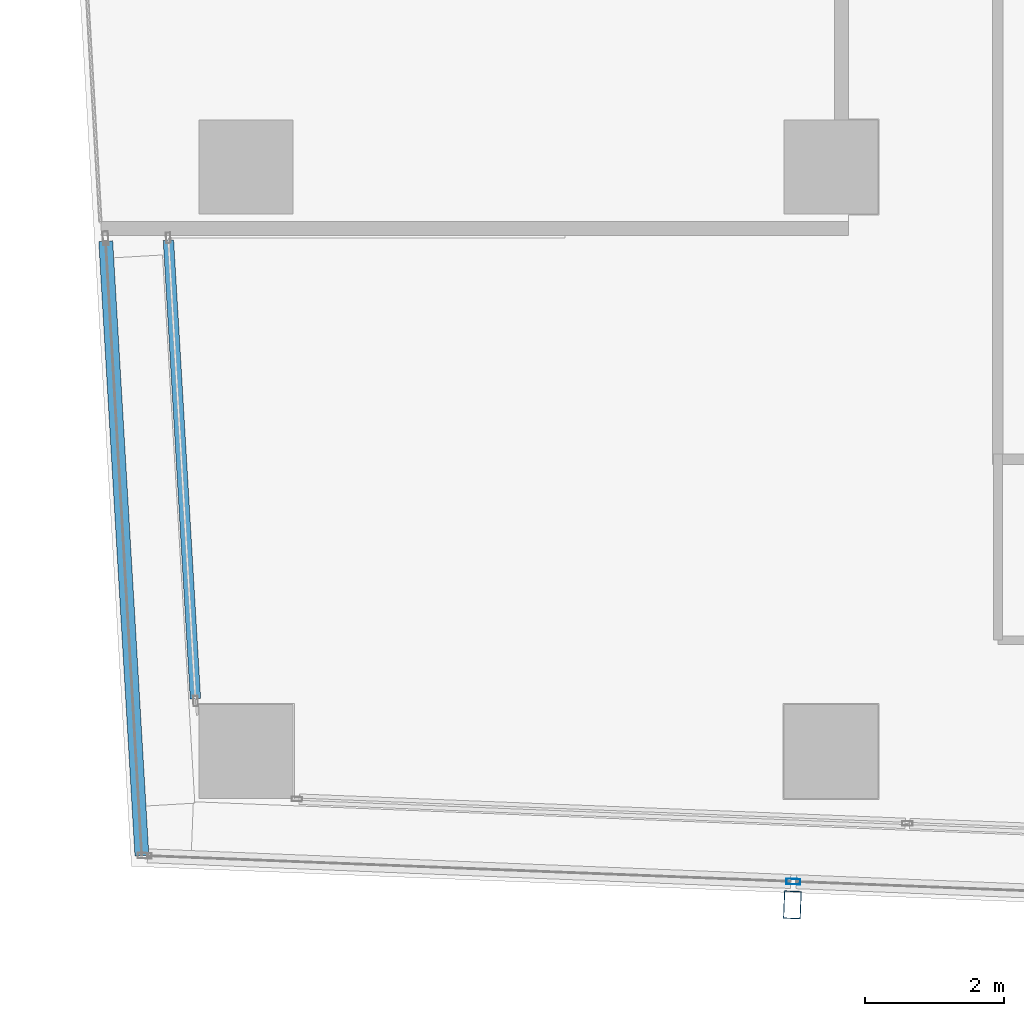
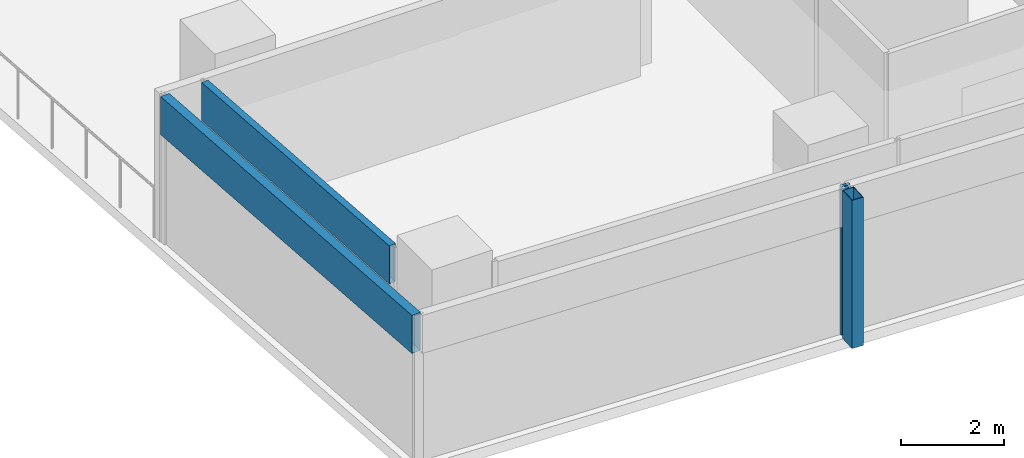
# One storey, part 3 of 35: 4 members, 3 elements without a shape of their own.
"""IFC4 building model written with IfcOpenShell, lengths in metres."""

from ifc_helpers import new_model, si_unit, direction, frame, origin, origin_2d, place, context, subcontext, project, spatial, hollow_rectangle, extrude, material, material_profile, profile_set, type_object, element, aggregate, save


model = new_model("IFC4")

# Units and contexts
model_context = context("Model", 3, precision=1e-05, world=origin(), true_north=direction((0.0, 1.0)))
body_context = subcontext(model_context, "Body", "Model", "MODEL_VIEW")
ifc_project = project(units=[si_unit("LENGTHUNIT", "METRE"), si_unit("AREAUNIT", "SQUARE_METRE"), si_unit("VOLUMEUNIT", "CUBIC_METRE"), si_unit("PLANEANGLEUNIT", "RADIAN"), si_unit("MASSUNIT", "GRAM", prefix="KILO")], contexts=[model_context])

# Site, building, storey
site_placement = place(None, origin())
site = spatial("IfcSite", under=ifc_project, at=site_placement, CompositionType="ELEMENT")
building_placement = place(site_placement, origin())
building = spatial("IfcBuilding", under=site, at=building_placement, Name="Rekha Terrace Tower", CompositionType="ELEMENT")
storey_placement = place(building_placement, frame((0.0, 0.0, 191.449951171875)))
storey = spatial("IfcBuildingStorey", under=building, at=storey_placement, Name="L48", CompositionType="ELEMENT", Elevation=191.449951171875)

# Curtain wall, member
ifc_material_1 = material(Name="Aluminium framing", Category="aluminium")
curtain_wall_type_1 = type_object("IfcCurtainWallType", Name="CW2 double skin outer glazing", PredefinedType="USERDEFINED", material=ifc_material_1)
curtain_wall_1_placement = place(storey_placement, origin())
curtain_wall_1 = element("IfcCurtainWall", 1, at=curtain_wall_1_placement, inside=storey, type_object=curtain_wall_type_1, Name="CW2 double skin outer glazing", ObjectType="DOUBLE SKIN OUTER GLAZING", PredefinedType="USERDEFINED")
ifc_material_2 = material(Name="Steel S355 with fluorocarbon finish", Category="steel")
ifc_material_profile_1 = material_profile(ifc_material_2, hollow_rectangle(XDim=0.25, YDim=0.39990234375, WallThickness=0.012451171875, at=origin_2d()), Name="RHS400x250x12.5")
ifc_profile_set_1 = profile_set([ifc_material_profile_1], Name="Steel S355 with fluorocarbon finish")
member_type_1 = type_object("IfcMemberType", Name="BL1 facade blade RHS 400 x 250", PredefinedType="USERDEFINED", material=ifc_profile_set_1)
member_1_placement = place(storey_placement, frame((16.24658203125, 14.595947265625, 0.0), z_axis=(0.0, 0.0, 1.0), x_axis=(0.999204797763, -0.039871946621, 0.0)))
member_1 = element("IfcMember", 2, at=member_1_placement, type_object=member_type_1, Name="Facade blade", ObjectType="FACADE BLADE", PredefinedType="USERDEFINED", context=body_context, shape_type="SweptSolid", body=[
    extrude(hollow_rectangle(XDim=0.25, YDim=0.39990234375, WallThickness=0.012451171875, at=origin_2d()), origin(), (0.0, 0.0, 1.0), 3.5),
])

curtain_wall_type_2 = type_object("IfcCurtainWallType", Name="CW1 double skin inner glazing", PredefinedType="USERDEFINED", material=ifc_material_1)
curtain_wall_2_placement = place(storey_placement, origin())
curtain_wall_2 = element("IfcCurtainWall", 3, at=curtain_wall_2_placement, inside=storey, type_object=curtain_wall_type_2, Name="CW1 double skin inner glazing", ObjectType="DOUBLE SKIN INNER GLAZING", PredefinedType="USERDEFINED")
ifc_material_3 = material(Name="Insulated aluminium spandrel box", Category="aluminium")
ifc_material_profile_2 = material_profile(ifc_material_3, hollow_rectangle(XDim=0.14990234375, YDim=0.89990234375, WallThickness=0.0029296875, at=origin_2d()), Name="AL SPANDREL BOX 150x900")
ifc_profile_set_2 = profile_set([ifc_material_profile_2], Name="Insulated aluminium spandrel box")
member_type_2 = type_object("IfcMemberType", Name="CW1 spandrel transom 150 x 900", PredefinedType="USERDEFINED", material=ifc_profile_set_2)
member_2_placement = place(storey_placement, frame((7.2822265625, 24.147216796875, 3.050048828125), z_axis=(0.058763211366, -0.998271949416, 0.0), x_axis=(0.998271949416, 0.058763211366, 0.0)))
member_2 = element("IfcMember", 4, at=member_2_placement, type_object=member_type_2, Name="CW1 spandrel transom 1", ObjectType="TRANSOM", PredefinedType="USERDEFINED", context=body_context, shape_type="SweptSolid", body=[
    extrude(hollow_rectangle(XDim=0.14990234375, YDim=0.89990234375, WallThickness=0.0029296875, at=origin_2d()), origin(), (0.0, 0.0, 1.0), 6.601806640625),
])
aggregate(curtain_wall_2, [member_2])

# Member
ifc_material_4 = material(Name="Aluminium mullion section", Category="aluminium")
ifc_material_profile_3 = material_profile(ifc_material_4, hollow_rectangle(XDim=0.080078125, YDim=0.199951171875, WallThickness=0.00390625, at=origin_2d()), Name="AL RHS 80x200")
ifc_profile_set_3 = profile_set([ifc_material_profile_3], Name="Aluminium mullion section")
member_type_3 = type_object("IfcMemberType", Name="CW2 mullion RHS 80 x 200", PredefinedType="MULLION", material=ifc_profile_set_3)
member_3_placement = place(storey_placement, frame((16.259765625, 14.9306640625, 0.0), z_axis=(0.0, 0.0, 1.0), x_axis=(0.039872497044, 0.999204775799, 0.0)))
member_3 = element("IfcMember", 5, at=member_3_placement, type_object=member_type_3, Name="CW2 mullion 2", PredefinedType="MULLION", context=body_context, shape_type="SweptSolid", body=[
    extrude(hollow_rectangle(XDim=0.080078125, YDim=0.199951171875, WallThickness=0.00390625, at=origin_2d()), origin(), (0.0, 0.0, 1.0), 3.5),
])

aggregate(curtain_wall_1, [member_3, member_1])

# Curtain wall, member
curtain_wall_3_placement = place(storey_placement, origin())
curtain_wall_3 = element("IfcCurtainWall", 6, at=curtain_wall_3_placement, inside=storey, type_object=curtain_wall_type_1, Name="CW2 double skin outer glazing", ObjectType="DOUBLE SKIN OUTER GLAZING", PredefinedType="USERDEFINED")
ifc_material_profile_4 = material_profile(ifc_material_3, hollow_rectangle(XDim=0.199951171875, YDim=0.89990234375, WallThickness=0.0029296875, at=origin_2d()), Name="AL SPANDREL BOX 200x900")
ifc_profile_set_4 = profile_set([ifc_material_profile_4], Name="Insulated aluminium spandrel box")
member_type_4 = type_object("IfcMemberType", Name="CW2 spandrel transom 200 x 900", PredefinedType="USERDEFINED", material=ifc_profile_set_4)
member_4_placement = place(storey_placement, frame((6.381591796875, 24.132080078125, 3.050048828125), z_axis=(0.058749534594, -0.998272754404, 0.0), x_axis=(0.998272754404, 0.058749534594, 0.0)))
member_4 = element("IfcMember", 7, at=member_4_placement, type_object=member_type_4, Name="CW2 spandrel transom 1", ObjectType="TRANSOM", PredefinedType="USERDEFINED", context=body_context, shape_type="SweptSolid", body=[
    extrude(hollow_rectangle(XDim=0.199951171875, YDim=0.89990234375, WallThickness=0.0029296875, at=origin_2d()), origin(), (0.0, 0.0, 1.0), 8.84326171875),
])
aggregate(curtain_wall_3, [member_4])

save(model, "model.ifc")
